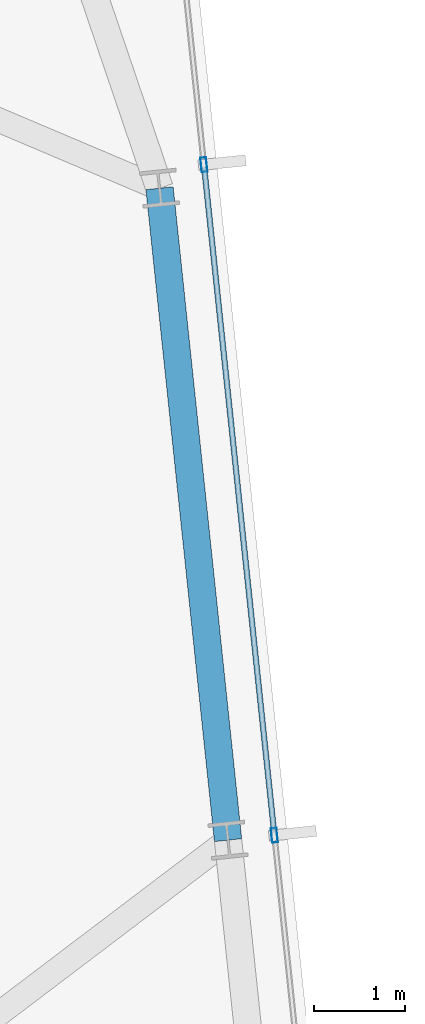
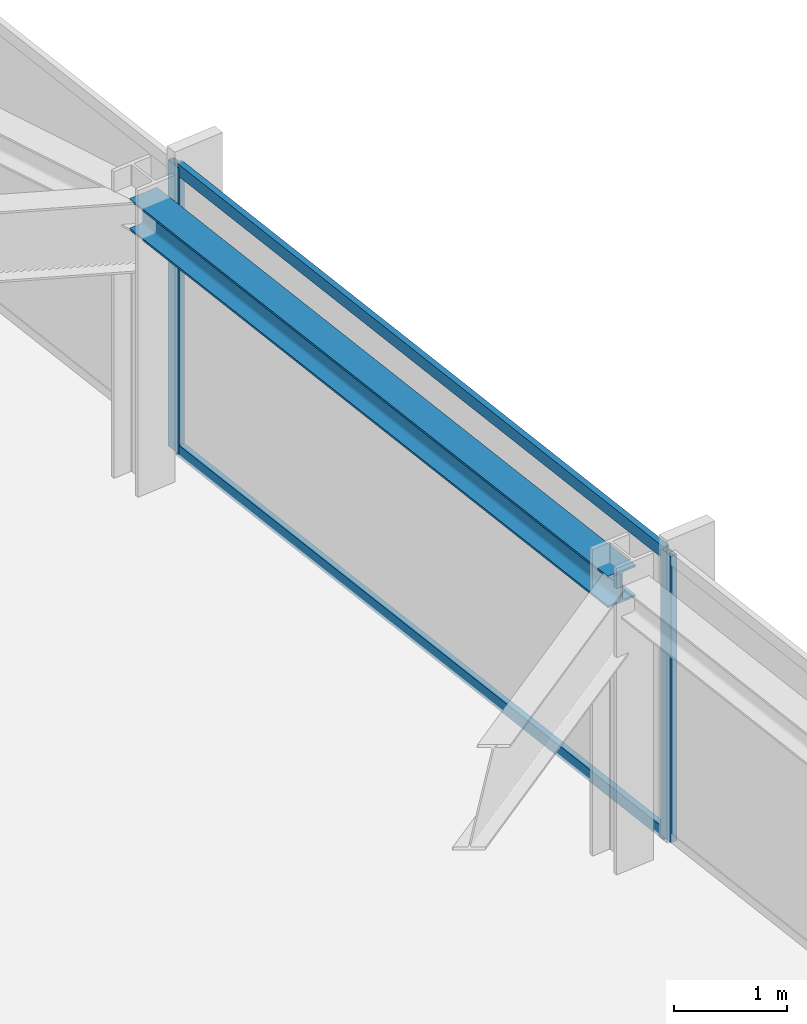
# One storey, part 19 of 32: 4 members, 1 beam, 1 element without a shape of its own.
"""IFC4 building model written with IfcOpenShell, lengths in metres."""

from ifc_helpers import new_model, si_unit, direction, frame, origin, origin_2d, place, context, subcontext, project, spatial, hollow_rectangle, i_section, extrude, material, material_profile, profile_set, type_object, element, aggregate, save


model = new_model("IFC4")

# Units and contexts
model_context = context("Model", 3, precision=1e-05, world=origin(), true_north=direction((0.0, 1.0)))
body_context = subcontext(model_context, "Body", "Model", "MODEL_VIEW")
ifc_project = project(units=[si_unit("LENGTHUNIT", "METRE"), si_unit("AREAUNIT", "SQUARE_METRE"), si_unit("VOLUMEUNIT", "CUBIC_METRE"), si_unit("PLANEANGLEUNIT", "RADIAN"), si_unit("MASSUNIT", "GRAM", prefix="KILO")], contexts=[model_context])

# Site, building, storey
site_placement = place(None, origin())
site = spatial("IfcSite", under=ifc_project, at=site_placement, CompositionType="ELEMENT")
building_placement = place(site_placement, origin())
building = spatial("IfcBuilding", under=site, at=building_placement, Name="Yelkora Congress Tower", CompositionType="ELEMENT")
storey_placement = place(building_placement, frame((0.0, 0.0, 207.800048828125)))
storey = spatial("IfcBuildingStorey", under=building, at=storey_placement, Name="L57", CompositionType="ELEMENT", Elevation=207.800048828125)

# Beam
ifc_material_1 = material(Name="Steel S355J2", Category="steel")
ifc_material_profile_1 = material_profile(ifc_material_1, i_section(OverallWidth=0.300048828125, OverallDepth=0.340087890625, WebThickness=0.011962890625, FlangeThickness=0.021484375, FilletRadius=0.027099609375, at=origin_2d()), Name="HEB 340")
ifc_profile_set_1 = profile_set([ifc_material_profile_1], Name="Steel S355J2")
beam_type = type_object("IfcBeamType", Name="BM-SPAN-HEB340", PredefinedType="SPANDREL", material=ifc_profile_set_1)
beam_placement = place(storey_placement, frame((69.60400390625, 34.296142578125, 2.909912109375), z_axis=(-0.104528914631, 0.994521847928, 0.0), x_axis=(-0.994521847928, -0.104528914631, 0.0)))
element("IfcBeam", 1, at=beam_placement, inside=storey, type_object=beam_type, Name="L57 Perimeter Beam 11", PredefinedType="SPANDREL", context=body_context, shape_type="SweptSolid", body=[
    extrude(i_section(OverallWidth=0.300048828125, OverallDepth=0.340087890625, WebThickness=0.011962890625, FlangeThickness=0.021484375, FilletRadius=0.027099609375, at=origin_2d()), origin(), (0.0, 0.0, 1.0), 7.175048828125),
])

# Curtain wall, members
ifc_material_2 = material(Name="Anodised aluminium and insulated glass", Category="aluminium")
curtain_wall_type = type_object("IfcCurtainWallType", Name="CW-SYS-B4", PredefinedType="NOTDEFINED", material=ifc_material_2)
curtain_wall_placement = place(storey_placement, origin())
curtain_wall = element("IfcCurtainWall", 2, at=curtain_wall_placement, inside=storey, type_object=curtain_wall_type, Name="L57 Unitised Curtain Wall 15", PredefinedType="NOTDEFINED")
ifc_material_3 = material(Name="Anodised aluminium 6063-T6", Category="aluminium")
ifc_material_profile_2 = material_profile(ifc_material_3, hollow_rectangle(XDim=0.06494140625, YDim=0.159912109375, WallThickness=0.00390625, at=origin_2d()), Name="ALU 65x160x4")
ifc_profile_set_2 = profile_set([ifc_material_profile_2], Name="Anodised aluminium 6063-T6")
member_type_1 = type_object("IfcMemberType", Name="MEM-ML-B4", PredefinedType="MULLION", material=ifc_profile_set_2)
member_1_placement = place(storey_placement, frame((69.33984375, 41.68896484375, 0.0), z_axis=(0.0, 0.0, 1.0), x_axis=(0.994522182968, 0.104525726898, 0.0)))
member_1 = element("IfcMember", 3, at=member_1_placement, type_object=member_type_1, Name="CW-B4 mullion 2", PredefinedType="MULLION", context=body_context, shape_type="SweptSolid", body=[
    extrude(hollow_rectangle(XDim=0.06494140625, YDim=0.159912109375, WallThickness=0.00390625, at=origin_2d()), origin(), (0.0, 0.0, 1.0), 3.079833984375),
])
member_2_placement = place(storey_placement, frame((70.111083984375, 34.349365234375, 0.0), z_axis=(0.0, 0.0, 1.0), x_axis=(0.994522182968, 0.104525726898, 0.0)))
member_2 = element("IfcMember", 4, at=member_2_placement, type_object=member_type_1, Name="CW-B4 mullion 3", PredefinedType="MULLION", context=body_context, shape_type="SweptSolid", body=[
    extrude(hollow_rectangle(XDim=0.06494140625, YDim=0.159912109375, WallThickness=0.00390625, at=origin_2d()), origin(), (0.0, 0.0, 1.0), 3.079833984375),
])
ifc_material_profile_3 = material_profile(ifc_material_3, hollow_rectangle(XDim=0.06005859375, YDim=0.1298828125, WallThickness=0.00390625, at=origin_2d()), Name="ALU 60x130x4")
ifc_profile_set_3 = profile_set([ifc_material_profile_3], Name="Anodised aluminium 6063-T6")
member_type_2 = type_object("IfcMemberType", Name="MEM-TR-B4", PredefinedType="USERDEFINED", material=ifc_profile_set_3)
member_3_placement = place(storey_placement, frame((69.34326171875, 41.65673828125, 0.030029296875), z_axis=(0.104531896307, -0.994521534535, 0.0), x_axis=(0.994521534535, 0.104531896307, 0.0)))
member_3 = element("IfcMember", 5, at=member_3_placement, type_object=member_type_2, Name="CW-B4 transom 2.1", ObjectType="TRANSOM", PredefinedType="USERDEFINED", context=body_context, shape_type="SweptSolid", body=[
    extrude(hollow_rectangle(XDim=0.06005859375, YDim=0.1298828125, WallThickness=0.00390625, at=origin_2d()), origin(), (0.0, 0.0, 1.0), 7.31494140625),
])
member_4_placement = place(storey_placement, frame((69.34326171875, 41.65673828125, 3.050048828125), z_axis=(0.104531896307, -0.994521534535, 0.0), x_axis=(0.994521534535, 0.104531896307, 0.0)))
member_4 = element("IfcMember", 6, at=member_4_placement, type_object=member_type_2, Name="CW-B4 transom 2.2", ObjectType="TRANSOM", PredefinedType="USERDEFINED", context=body_context, shape_type="SweptSolid", body=[
    extrude(hollow_rectangle(XDim=0.06005859375, YDim=0.1298828125, WallThickness=0.00390625, at=origin_2d()), origin(), (0.0, 0.0, 1.0), 7.31494140625),
])
aggregate(curtain_wall, [member_1, member_2, member_3, member_4])

save(model, "model.ifc")
